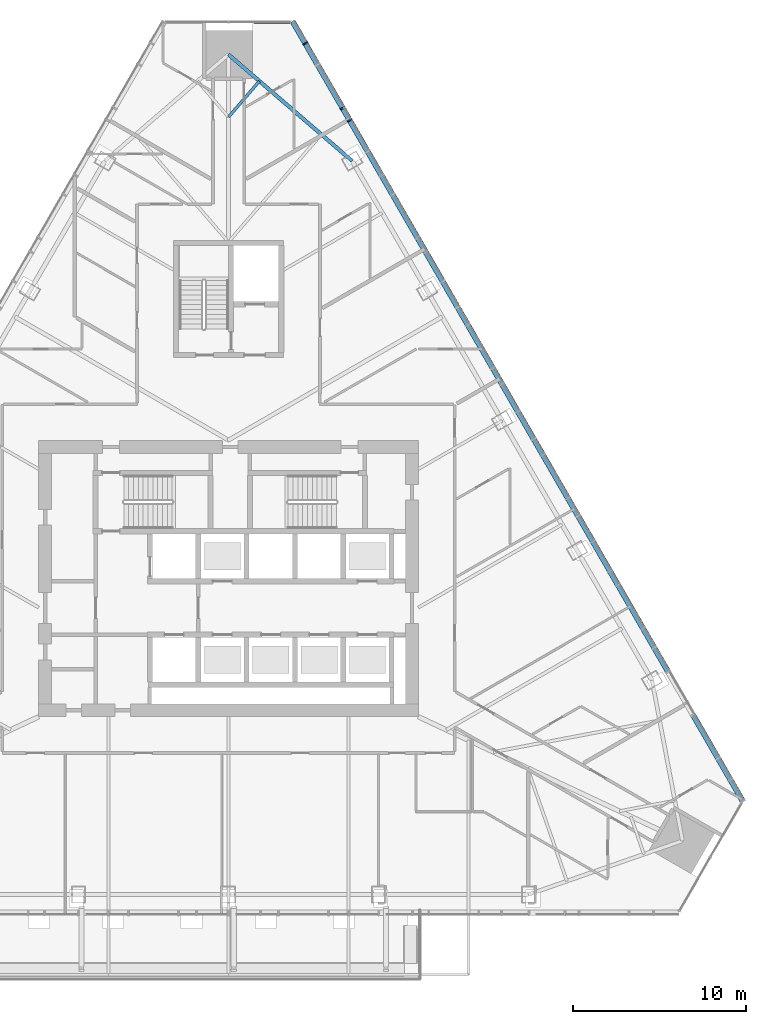
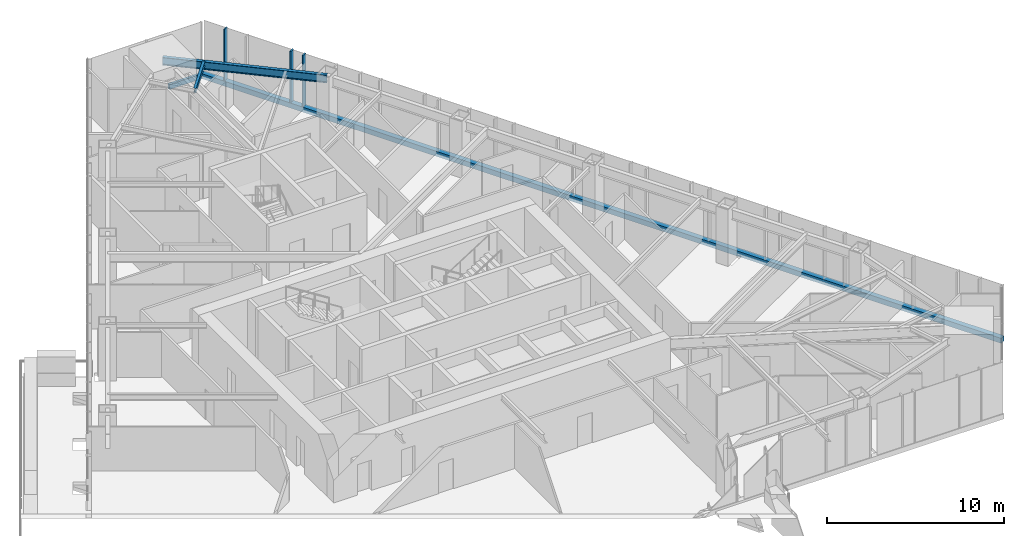
# One storey, part 8 of 23: 5 members, 2 beams, 2 elements without a shape of their own.
"""IFC4 building model written with IfcOpenShell, lengths in metres."""

from ifc_helpers import new_model, si_unit, direction, frame, origin, origin_2d, place, context, subcontext, project, spatial, rectangle, i_section, extrude, material, layer, layer_set, material_profile, profile_set, type_object, element, aggregate, save


model = new_model("IFC4")

# Units and contexts
model_context = context("Model", 3, precision=1e-05, world=origin(), true_north=direction((0.0, 1.0)))
body_context = subcontext(model_context, "Body", "Model", "MODEL_VIEW")
ifc_project = project(units=[si_unit("LENGTHUNIT", "METRE"), si_unit("AREAUNIT", "SQUARE_METRE"), si_unit("VOLUMEUNIT", "CUBIC_METRE"), si_unit("PLANEANGLEUNIT", "RADIAN"), si_unit("MASSUNIT", "GRAM", prefix="KILO")], contexts=[model_context])

# Site, building, storey
site_placement = place(None, origin())
site = spatial("IfcSite", under=ifc_project, at=site_placement, CompositionType="ELEMENT")
building_placement = place(site_placement, origin())
building = spatial("IfcBuilding", under=site, at=building_placement, Name="Firuza Gate Tower and Library", CompositionType="ELEMENT")
storey_placement = place(building_placement, frame((0.0, 0.0, 190.89990234375)))
storey = spatial("IfcBuildingStorey", under=building, at=storey_placement, Name="L44", CompositionType="ELEMENT", Elevation=190.89990234375)

# Curtain wall, members
ifc_material_1 = material(Name="Aluminium 6063-T6", Category="aluminium")
ifc_layer_1 = layer(ifc_material_1, 0.14990234375)
ifc_layer_set_1 = layer_set([ifc_layer_1], Name="Unitised curtain wall, hotel")
curtain_wall_type_1 = type_object("IfcCurtainWallType", Name="Unitised curtain wall, hotel", PredefinedType="NOTDEFINED", material=ifc_layer_set_1)
placement = place(storey_placement, origin())
curtain_wall_1 = element("IfcCurtainWall", 1, at=placement, inside=storey, type_object=curtain_wall_type_1, Name="CW2 L44 E face", PredefinedType="NOTDEFINED")
ifc_material_2 = material(Name="Aluminium 6063-T6", Category="aluminium")
ifc_material_profile_1 = material_profile(ifc_material_2, rectangle(XDim=0.320068359375, YDim=0.080078125, at=origin_2d()))
ifc_profile_set_1 = profile_set([ifc_material_profile_1], Name="Aluminium 6063-T6")
member_type_1 = type_object("IfcMemberType", Name="Curtain wall mullion 80x320", PredefinedType="MULLION", material=ifc_profile_set_1)
member_1_placement = place(storey_placement, frame((81.616943359375, 102.26123046875, 0.150146484375), z_axis=(0.0, 0.0, 1.0), x_axis=(-0.866025403784, -0.5, 0.0)))
member_1 = element("IfcMember", 2, at=member_1_placement, type_object=member_type_1, Name="Mullion", PredefinedType="MULLION", context=body_context, shape_type="SweptSolid", body=[
    extrude(rectangle(XDim=0.320068359375, YDim=0.080078125, at=origin_2d()), origin(), (0.0, 0.0, 1.0), 3.550048828125),
])
member_2_placement = place(storey_placement, frame((82.021484375, 101.560546875, 0.150146484375), z_axis=(0.0, 0.0, 1.0), x_axis=(-0.866025403784, -0.5, 0.0)))
member_2 = element("IfcMember", 3, at=member_2_placement, type_object=member_type_1, Name="Mullion", PredefinedType="MULLION", context=body_context, shape_type="SweptSolid", body=[
    extrude(rectangle(XDim=0.320068359375, YDim=0.080078125, at=origin_2d()), origin(), (0.0, 0.0, 1.0), 3.550048828125),
])
member_3_placement = place(storey_placement, frame((79.453369140625, 106.009033203125, 0.150146484375), z_axis=(0.0, 0.0, 1.0), x_axis=(-0.866025403784, -0.5, 0.0)))
member_3 = element("IfcMember", 4, at=member_3_placement, type_object=member_type_1, Name="Mullion", PredefinedType="MULLION", context=body_context, shape_type="SweptSolid", body=[
    extrude(rectangle(XDim=0.320068359375, YDim=0.080078125, at=origin_2d()), origin(), (0.0, 0.0, 1.0), 3.550048828125),
])

# Curtain wall, member
ifc_material_3 = material(Name="Aluminium 6063-T6", Category="aluminium")
ifc_layer_2 = layer(ifc_material_3, 0.14990234375)
ifc_layer_set_2 = layer_set([ifc_layer_2], Name="Corner curtain wall, chamfers")
curtain_wall_type_2 = type_object("IfcCurtainWallType", Name="Corner curtain wall, chamfers", PredefinedType="NOTDEFINED", material=ifc_layer_set_2)
curtain_wall_2 = element("IfcCurtainWall", 5, at=placement, inside=storey, type_object=curtain_wall_type_2, Name="CW4 L44 N corner", PredefinedType="NOTDEFINED")
ifc_material_4 = material(Name="Aluminium 6063-T6", Category="aluminium")
ifc_material_profile_2 = material_profile(ifc_material_4, rectangle(XDim=0.14990234375, YDim=0.35009765625, at=origin_2d()))
ifc_profile_set_2 = profile_set([ifc_material_profile_2], Name="Aluminium 6063-T6")
member_type_2 = type_object("IfcMemberType", Name="Curtain wall transom 350x150", PredefinedType="USERDEFINED", material=ifc_profile_set_2)
member_4_placement = place(storey_placement, frame((78.643310546875, 107.241943359375, -0.02490234375), z_axis=(-1.0, 0.0, 0.0), x_axis=(0.0, -1.0, 0.0)))
member_4 = element("IfcMember", 6, at=member_4_placement, type_object=member_type_2, Name="Transom", ObjectType="TRANSOM", PredefinedType="USERDEFINED", context=body_context, shape_type="SweptSolid", body=[
    extrude(rectangle(XDim=0.14990234375, YDim=0.35009765625, at=origin_2d()), origin(), (0.0, 0.0, 1.0), 2.163330078125),
])
aggregate(curtain_wall_2, [member_4])

# Member
ifc_material_5 = material(Name="Aluminium 6063-T6", Category="aluminium")
ifc_material_profile_3 = material_profile(ifc_material_5, rectangle(XDim=0.320068359375, YDim=0.35009765625, at=origin_2d()))
ifc_profile_set_3 = profile_set([ifc_material_profile_3], Name="Aluminium 6063-T6")
member_type_3 = type_object("IfcMemberType", Name="Curtain wall transom 350x320", PredefinedType="USERDEFINED", material=ifc_profile_set_3)
member_5_placement = place(storey_placement, frame((104.817626953125, 62.07666015625, -0.02490234375), z_axis=(-0.500001660192, 0.86602444527, 0.0), x_axis=(-0.86602444527, -0.500001660192, 0.0)))
member_5 = element("IfcMember", 7, at=member_5_placement, type_object=member_type_3, Name="Transom", ObjectType="TRANSOM", PredefinedType="USERDEFINED", context=body_context, shape_type="SweptSolid", body=[
    extrude(rectangle(XDim=0.320068359375, YDim=0.35009765625, at=origin_2d()), origin(), (0.0, 0.0, 1.0), 52.201416015625),
])

aggregate(curtain_wall_1, [member_1, member_5, member_2, member_3])

# Beams
ifc_material_6 = material(Name="Steel S355", Category="steel")
ifc_material_profile_4 = material_profile(ifc_material_6, i_section(OverallWidth=0.1650390625, OverallDepth=0.31005859375, WebThickness=0.005859375, FlangeThickness=0.009765625, at=origin_2d()))
ifc_profile_set_4 = profile_set([ifc_material_profile_4], Name="Steel S355")
beam_type_1 = type_object("IfcBeamType", Name="W310x39 Floor beam", PredefinedType="JOIST", material=ifc_profile_set_4)
beam_1_placement = place(storey_placement, frame((76.790771484375, 103.823974609375, 3.545166015625), z_axis=(-0.652701953737, -0.757614783111, 0.0), x_axis=(0.757614783111, -0.652701953737, 0.0)))
element("IfcBeam", 8, at=beam_1_placement, inside=storey, type_object=beam_type_1, Name="Floor beam L44 s61", PredefinedType="JOIST", context=body_context, shape_type="SweptSolid", body=[
    extrude(i_section(OverallWidth=0.1650390625, OverallDepth=0.31005859375, WebThickness=0.005859375, FlangeThickness=0.009765625, at=origin_2d()), origin(), (0.0, 0.0, 1.0), 2.74365234375),
])
ifc_material_7 = material(Name="Steel S355", Category="steel")
ifc_material_profile_5 = material_profile(ifc_material_7, i_section(OverallWidth=0.212890625, OverallDepth=0.5390625, WebThickness=0.01171875, FlangeThickness=0.018798828125, at=origin_2d()))
ifc_profile_set_5 = profile_set([ifc_material_profile_5], Name="Steel S355")
beam_type_2 = type_object("IfcBeamType", Name="W530x109 Edge beam", PredefinedType="SPANDREL", material=ifc_profile_set_5)
beam_2_placement = place(storey_placement, frame((82.16357421875, 99.19482421875, 3.4306640625), z_axis=(-0.757586494154, 0.652734788314, 0.0), x_axis=(-0.652734788314, -0.757586494154, 0.0)))
element("IfcBeam", 9, at=beam_2_placement, inside=storey, type_object=beam_type_2, Name="Edge beam L44 e60", PredefinedType="SPANDREL", context=body_context, shape_type="SweptSolid", body=[
    extrude(i_section(OverallWidth=0.212890625, OverallDepth=0.5390625, WebThickness=0.01171875, FlangeThickness=0.018798828125, at=origin_2d()), origin(), (0.0, 0.0, 1.0), 9.455810546875),
])

save(model, "model.ifc")
